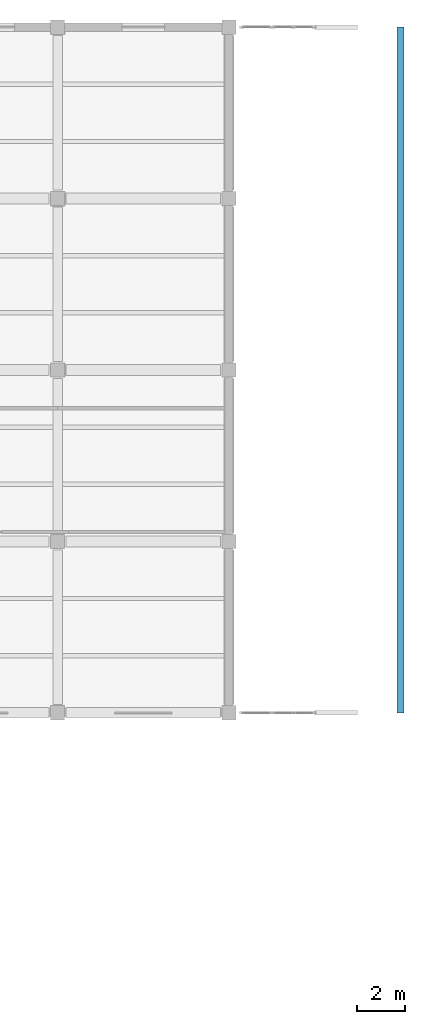
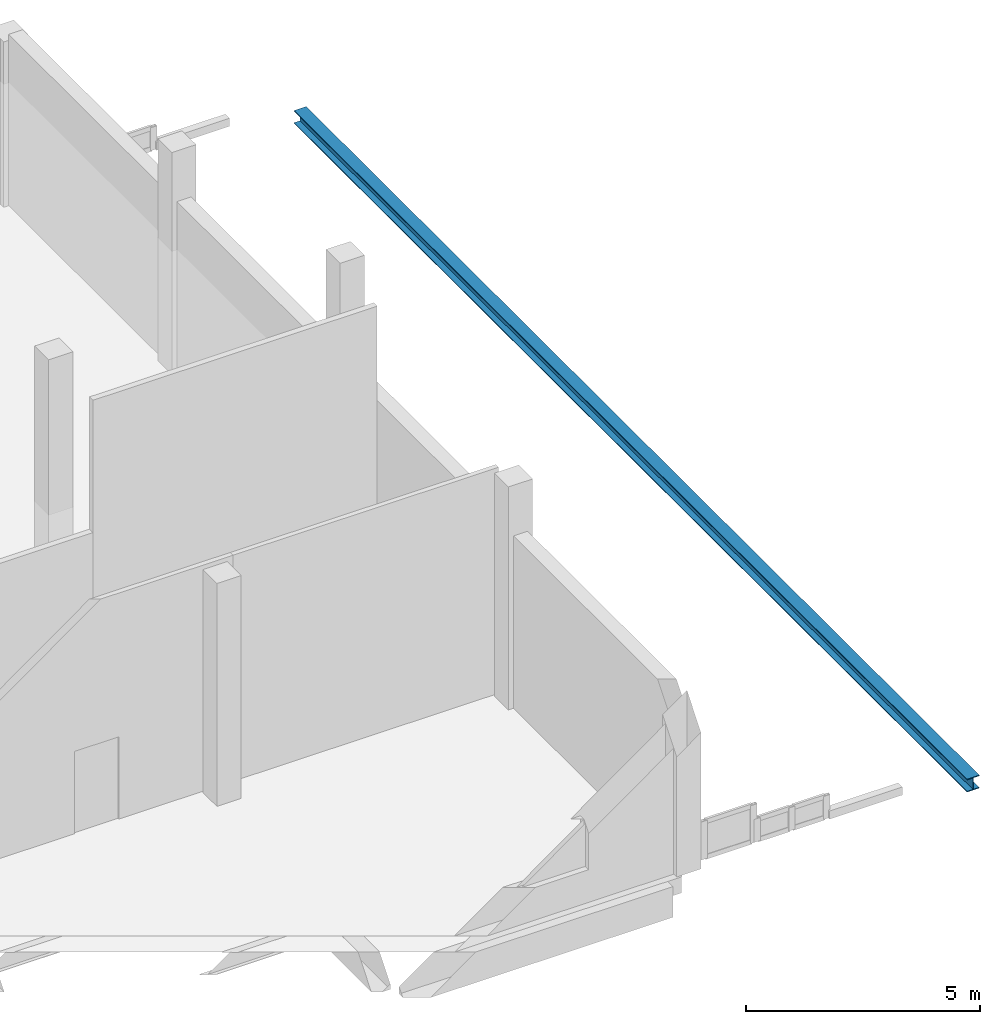
# One storey, part 45 of 105: 1 beam.
"""IFC4 building model written with IfcOpenShell, lengths in metres."""

from ifc_helpers import new_model, si_unit, direction, frame, origin, origin_2d, place, context, subcontext, project, spatial, i_section, extrude, material, material_profile, profile_set, type_object, element, save


model = new_model("IFC4")

# Units and contexts
model_context = context("Model", 3, precision=1e-05, world=origin(), true_north=direction((0.0, 1.0)))
body_context = subcontext(model_context, "Body", "Model", "MODEL_VIEW")
ifc_project = project(units=[si_unit("LENGTHUNIT", "METRE"), si_unit("AREAUNIT", "SQUARE_METRE"), si_unit("VOLUMEUNIT", "CUBIC_METRE"), si_unit("PLANEANGLEUNIT", "RADIAN"), si_unit("MASSUNIT", "GRAM", prefix="KILO"), si_unit("THERMODYNAMICTEMPERATUREUNIT", "KELVIN"), si_unit("POWERUNIT", "WATT")], contexts=[model_context])

# Site, building, storey
site_placement = place(None, origin())
site = spatial("IfcSite", under=ifc_project, at=site_placement, CompositionType="ELEMENT")
building_placement = place(site_placement, origin())
building = spatial("IfcBuilding", under=site, at=building_placement, Name="Kaldorven Railside Theatre", CompositionType="ELEMENT")
storey_placement = place(building_placement, frame((0.0, 0.0, 9.89990234375)))
storey = spatial("IfcBuildingStorey", under=building, at=storey_placement, Name="L02", CompositionType="ELEMENT", Elevation=9.89990234375)

# Beam
ifc_material = material(Name="Steel S355", Category="steel")
ifc_material_profile = material_profile(ifc_material, i_section(OverallWidth=0.300048828125, OverallDepth=0.340087890625, WebThickness=0.011962890625, FlangeThickness=0.021484375, at=origin_2d()), Name="HEB 340")
ifc_profile_set = profile_set([ifc_material_profile], Name="Steel S355")
beam_type = type_object("IfcBeamType", Name="BM-HEB340", PredefinedType="SPANDREL", material=ifc_profile_set)
beam_placement = place(storey_placement, frame((188.0, 112.800048828125, -0.368408203125), z_axis=(0.0, 1.0, 0.0), x_axis=(-1.0, 0.0, 0.0)))
element("IfcBeam", 1, at=beam_placement, inside=storey, type_object=beam_type, Name="Backstage Monsoon Roof Rafter RAF-164", PredefinedType="SPANDREL", context=body_context, shape_type="SweptSolid", body=[
    extrude(i_section(OverallWidth=0.300048828125, OverallDepth=0.340087890625, WebThickness=0.011962890625, FlangeThickness=0.021484375, at=origin_2d()), origin(), (0.0, 0.0, 1.0), 28.800048828125),
])

save(model, "model.ifc")
